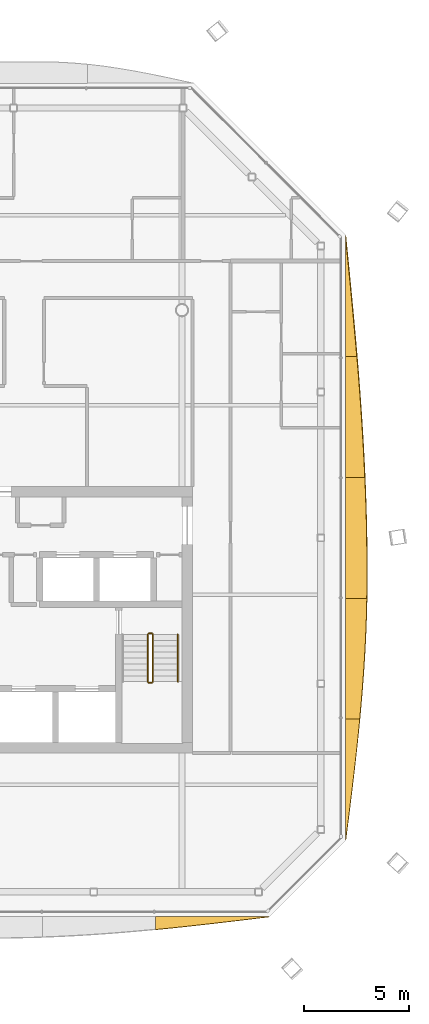
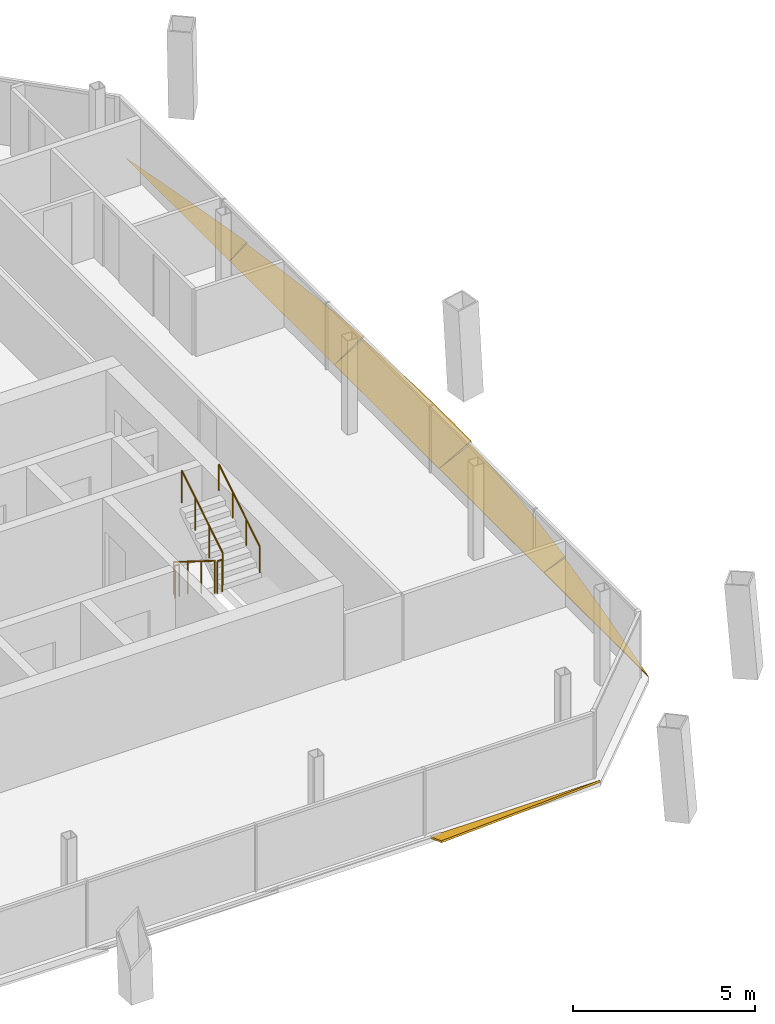
# One storey, part 18 of 19: 6 shading devices, 5 railings.
"""IFC4 building model written with IfcOpenShell, lengths in metres."""

from ifc_helpers import new_model, si_unit, direction, frame, origin, origin_2d, place, context, subcontext, project, spatial, polyline, circle, outline, extrude, material, layer, layer_set, type_object, element, save


model = new_model("IFC4")

# Units and contexts
model_context = context("Model", 3, precision=1e-05, world=origin(), true_north=direction((0.0, 1.0)))
body_context = subcontext(model_context, "Body", "Model", "MODEL_VIEW")
ifc_project = project(units=[si_unit("LENGTHUNIT", "METRE"), si_unit("AREAUNIT", "SQUARE_METRE"), si_unit("VOLUMEUNIT", "CUBIC_METRE"), si_unit("PLANEANGLEUNIT", "RADIAN"), si_unit("MASSUNIT", "GRAM", prefix="KILO")], contexts=[model_context])

# Site, building, storey
site_placement = place(None, origin())
site = spatial("IfcSite", under=ifc_project, at=site_placement, CompositionType="ELEMENT")
building_placement = place(site_placement, origin())
building = spatial("IfcBuilding", under=site, at=building_placement, Name="Tskaro Facet Tower", CompositionType="ELEMENT")
storey_placement = place(building_placement, frame((0.0, 0.0, 206.85009765625)))
storey = spatial("IfcBuildingStorey", under=building, at=storey_placement, Name="L53", CompositionType="ELEMENT", Elevation=206.85009765625)

# Shading devices
ifc_material_1 = material(Name="Bronze anodised aluminium 6063-T6", Category="aluminium")
ifc_layer = layer(ifc_material_1, 0.06005859375, Name="Bronze anodised aluminium 6063-T6")
ifc_layer_set = layer_set([ifc_layer], Name="Bronze anodised aluminium 6063-T6")
shading_device_type = type_object("IfcShadingDeviceType", Name="Bronze sun blade (FN1)", PredefinedType="USERDEFINED", material=ifc_layer_set)
shading_device_1_placement = place(storey_placement, frame((7.75341796875, -19.762451171875, 0.056396484375), z_axis=(2.6980019e-05, 0.341779765466, 0.93978007597), x_axis=(0.999999999636, -9.221225e-06, -2.5355285e-05)))
element("IfcShadingDevice", 1, at=shading_device_1_placement, inside=storey, type_object=shading_device_type, Name="Fin blade south 6", ObjectType="FIN", PredefinedType="USERDEFINED", context=body_context, shape_type="SweptSolid", body=[
    extrude(outline(polyline([(0.0, 0.0), (5.376464841793178, -9.108085724821388e-21), (4.704589846630594, -0.08618665947422585), (4.03247070240157, -0.17222732277884187), (3.3603515632356573, -0.256641028135547), (2.688232419003621, -0.33982409869070174), (2.016113279271125, -0.4206084534867819), (1.343994141786894, -0.49876465402859416), (0.6721191364830323, -0.5739172656513352), (-3.822067944705558e-09, -0.6453570843878678), (0.0, 0.0)])), origin(), (0.0, 0.0, -1.0), 0.06005859375),
])
shading_device_2_placement = place(storey_placement, frame((16.762451171875, -16.1298828125, 0.056396484375), z_axis=(-0.34175961134, -2.3081264e-05, 0.939787405493), x_axis=(-7.888244e-06, 0.999999999734, 2.1691481e-05)))
element("IfcShadingDevice", 2, at=shading_device_2_placement, inside=storey, type_object=shading_device_type, Name="Fin blade east 1", ObjectType="FIN", PredefinedType="USERDEFINED", context=body_context, shape_type="SweptSolid", body=[
    extrude(outline(polyline([(0.0, 0.0), (5.7343749984725205, -4.8572045569113785e-21), (5.734375001554423, -0.7089958799867249), (5.017578125813215, -0.6333843922222933), (4.300781246222649, -0.5525165995246775), (3.5839843728925156, -0.4673311349630972), (2.8671875019711353, -0.3782868791067633), (2.150390623829305, -0.2865310333787027), (1.4335937490585653, -0.19223047258918455), (0.7167968733254871, -0.09661583556637032), (0.0, 0.0)])), origin(), (0.0, 0.0, -1.0), 0.06005859375),
])
shading_device_3_placement = place(storey_placement, frame((16.757568359375, -10.3955078125, 0.05419921875), z_axis=(-0.422655798534, -8.51879e-07, 0.906290282396), x_axis=(-3.60052e-07, 1.0, 7.7205e-07)))
element("IfcShadingDevice", 3, at=shading_device_3_placement, inside=storey, type_object=shading_device_type, Name="Fin blade east 2", ObjectType="FIN", PredefinedType="USERDEFINED", context=body_context, shape_type="SweptSolid", body=[
    extrude(outline(polyline([(0.0, 0.0), (5.734619140622919, 0.0), (5.73461914067436, -1.1112395437654523), (5.017822265519815, -1.0925672608462744), (4.3010253906272355, -1.065148698508506), (3.584228515632326, -1.0293231938532843), (2.867431640635671, -0.9854151966073988), (2.150634765637271, -0.9334247067708497), (1.4338378905619056, -0.8741186986223775), (0.7170410156986481, -0.8079248093395858), (5.820384081546878e-11, -0.735182376023612), (0.0, 0.0)])), origin(), (0.0, 0.0, -1.0), 0.06005859375),
])
shading_device_4_placement = place(storey_placement, frame((16.7529296875, -4.660888671875, 0.0517578125), z_axis=(-0.500017970622, 6.655302e-06, 0.866015028167), x_axis=(3.327771e-06, 0.999999999978, -5.763591e-06)))
element("IfcShadingDevice", 4, at=shading_device_4_placement, inside=storey, type_object=shading_device_type, Name="Fin blade east 3", ObjectType="FIN", PredefinedType="USERDEFINED", context=body_context, shape_type="SweptSolid", body=[
    extrude(outline(polyline([(0.0, 0.0), (5.7346191404979985, 0.0), (5.734619140574201, -1.058575534953833), (5.0178222649613975, -1.0916138602225853), (4.301025390202996, -1.1195036336885273), (3.584228516081239, -1.1416999217513157), (2.867431641188997, -1.1583247991108125), (2.1506347647138258, -1.1691668363167764), (1.4338378910948675, -1.174404742869966), (1.1469726569439818, -1.174949676470309), (0.7167968750502253, -1.17331487566928), (-4.446643096564524e-10, -1.16292841731328), (0.0, 0.0)])), origin(), (0.0, 0.0, -1.0), 0.06005859375),
])
shading_device_5_placement = place(storey_placement, frame((16.74853515625, 1.07373046875, 0.049072265625), z_axis=(-0.573567701998, -3.69728e-07, 0.819158160079), x_axis=(-2.12064e-07, 1.0, 3.02866e-07)))
element("IfcShadingDevice", 5, at=shading_device_5_placement, inside=storey, type_object=shading_device_type, Name="Fin blade east 4", ObjectType="FIN", PredefinedType="USERDEFINED", context=body_context, shape_type="SweptSolid", body=[
    extrude(outline(polyline([(0.0, 0.0), (5.734619140624608, -1.5179410475201615e-22), (5.734619140600586, -0.6607057408195837), (5.017822265641571, -0.7329085689638426), (4.301025390564418, -0.8013112079135377), (3.58422851562056, -0.8657937404528091), (2.867431640662111, -0.9260761042271652), (2.1506347656669043, -0.9818182782741851), (1.4338378906127711, -1.0326802416314473), (0.7167968750004262, -1.078602035691022), (-1.624042699880013e-11, -1.1191036083132422), (0.0, 0.0)])), origin(), (0.0, 0.0, -1.0), 0.06005859375),
])
shading_device_6_placement = place(storey_placement, frame((16.744384765625, 6.808349609375, 0.0458984375), z_axis=(-0.642675987813, 8.381079e-06, 0.766138091089), x_axis=(5.386318e-06, 0.999999999965, -6.421064e-06)))
element("IfcShadingDevice", 6, at=shading_device_6_placement, inside=storey, type_object=shading_device_type, Name="Fin blade east 5", ObjectType="FIN", PredefinedType="USERDEFINED", context=body_context, shape_type="SweptSolid", body=[
    extrude(outline(polyline([(0.0, 0.0), (5.734619140423593, 0.0), (5.01782226536192, -0.09305857901018583), (4.301025390552872, -0.18577320927062752), (3.5842285151866746, -0.2772689478494353), (2.867431640578347, -0.36773284017901053), (2.150634765918118, -0.45628994332746364), (1.4335937495186004, -0.5424092631126489), (0.7167968755124378, -0.6261209416496251), (-4.1779441715143596e-10, -0.7065198938914438), (0.0, 0.0)])), origin(), (0.0, 0.0, -1.0), 0.06005859375),
])

# Railings
ifc_material_2 = material(Name="Stainless steel", Category="steel")
railing_type_1 = type_object("IfcRailingType", Name="RL-GUARD-1100", PredefinedType="GUARDRAIL", material=ifc_material_2)
railing_1_placement = place(storey_placement, frame((7.375, -6.375, 0.1748046875)))
element("IfcRailing", 7, at=railing_1_placement, inside=storey, type_object=railing_type_1, Name="L53 ST-2 stair guard 1", PredefinedType="GUARDRAIL", context=body_context, shape_type="SweptSolid", body=[
    extrude(circle(Radius=0.02392578125, at=origin_2d()), frame((0.0, 0.0, 1.076171875), z_axis=(0.0, -0.847972341737, 0.530040477369), x_axis=(1.0, 0.0, 0.0)), (0.0, 0.0, 1.0), 2.6416015625),
    extrude(circle(Radius=0.02099609375, at=origin_2d()), origin(), (0.0, 0.0, 1.0), 1.052001953125),
    extrude(circle(Radius=0.02099609375, at=origin_2d()), frame((0.0, -0.74658203125, 0.466796875)), (0.0, 0.0, 1.0), 1.052001953125),
    extrude(circle(Radius=0.02099609375, at=origin_2d()), frame((0.0, -1.493408203125, 0.933349609375)), (0.0, 0.0, 1.0), 1.052001953125),
    extrude(circle(Radius=0.02099609375, at=origin_2d()), frame((0.0, -2.239990234375, 1.400146484375)), (0.0, 0.0, 1.0), 1.052001953125),
])
railing_2_placement = place(storey_placement, frame((7.425048828125, -8.6650390625, 1.574951171875)))
element("IfcRailing", 8, at=railing_2_placement, inside=storey, type_object=railing_type_1, Name="L53 ST-2 stair guard 2", PredefinedType="GUARDRAIL", context=body_context, shape_type="SweptSolid", body=[
    extrude(circle(Radius=0.02392578125, at=origin_2d()), frame((0.0, 0.0, 1.076171875), z_axis=(1.0, 0.0, 0.0), x_axis=(0.0, 1.0, 0.0)), (0.0, 0.0, 1.0), 0.14990234375),
    extrude(circle(Radius=0.02099609375, at=origin_2d()), origin(), (0.0, 0.0, 1.0), 1.052001953125),
    extrude(circle(Radius=0.02099609375, at=origin_2d()), frame((0.14990234375, 0.0, 0.0)), (0.0, 0.0, 1.0), 1.052001953125),
])
railing_3_placement = place(storey_placement, frame((7.625, -8.614990234375, 1.75)))
element("IfcRailing", 9, at=railing_3_placement, inside=storey, type_object=railing_type_1, Name="L53 ST-2 stair guard 3", PredefinedType="GUARDRAIL", context=body_context, shape_type="SweptSolid", body=[
    extrude(circle(Radius=0.02392578125, at=origin_2d()), frame((0.0, 0.0, 1.076171875), z_axis=(0.0, 0.848013881152, 0.529974015752), x_axis=(-1.0, 0.0, 0.0)), (0.0, 0.0, 1.0), 2.641357421875),
    extrude(circle(Radius=0.02099609375, at=origin_2d()), origin(), (0.0, 0.0, 1.0), 1.052001953125),
    extrude(circle(Radius=0.02099609375, at=origin_2d()), frame((0.0, 0.74658203125, 0.466552734375)), (0.0, 0.0, 1.0), 1.052001953125),
    extrude(circle(Radius=0.02099609375, at=origin_2d()), frame((0.0, 1.493408203125, 0.933349609375)), (0.0, 0.0, 1.0), 1.052001953125),
    extrude(circle(Radius=0.02099609375, at=origin_2d()), frame((0.0, 2.239990234375, 1.39990234375)), (0.0, 0.0, 1.0), 1.052001953125),
])
railing_4_placement = place(storey_placement, frame((7.425048828125, -6.324951171875, 0.0)))
element("IfcRailing", 10, at=railing_4_placement, inside=storey, type_object=railing_type_1, Name="L53 ST-2 stair guard 4", PredefinedType="GUARDRAIL", context=body_context, shape_type="SweptSolid", body=[
    extrude(circle(Radius=0.02392578125, at=origin_2d()), frame((0.0, 0.0, 1.076171875), z_axis=(1.0, 0.0, 0.0), x_axis=(0.0, 1.0, 0.0)), (0.0, 0.0, 1.0), 0.14990234375),
    extrude(circle(Radius=0.02099609375, at=origin_2d()), origin(), (0.0, 0.0, 1.0), 1.052001953125),
    extrude(circle(Radius=0.02099609375, at=origin_2d()), frame((0.14990234375, 0.0, 0.0)), (0.0, 0.0, 1.0), 1.052001953125),
])
railing_type_2 = type_object("IfcRailingType", Name="RL-HANDRAIL-900", PredefinedType="HANDRAIL", material=ifc_material_2)
railing_5_placement = place(storey_placement, frame((8.800048828125, -8.614990234375, 1.75)))
element("IfcRailing", 11, at=railing_5_placement, inside=storey, type_object=railing_type_2, Name="L53 ST-2 stair handrail 2", PredefinedType="HANDRAIL", context=body_context, shape_type="SweptSolid", body=[
    extrude(circle(Radius=0.02392578125, at=origin_2d()), frame((0.0, 0.0, 0.8759765625), z_axis=(0.0, 0.848013881152, 0.529974015752), x_axis=(-1.0, 0.0, 0.0)), (0.0, 0.0, 1.0), 2.641357421875),
    extrude(circle(Radius=0.02099609375, at=origin_2d()), origin(), (0.0, 0.0, 1.0), 0.851806640625),
    extrude(circle(Radius=0.02099609375, at=origin_2d()), frame((0.0, 0.74658203125, 0.466552734375)), (0.0, 0.0, 1.0), 0.851806640625),
    extrude(circle(Radius=0.02099609375, at=origin_2d()), frame((0.0, 1.493408203125, 0.933349609375)), (0.0, 0.0, 1.0), 0.851806640625),
    extrude(circle(Radius=0.02099609375, at=origin_2d()), frame((0.0, 2.239990234375, 1.39990234375)), (0.0, 0.0, 1.0), 0.851806640625),
])

save(model, "model.ifc")
